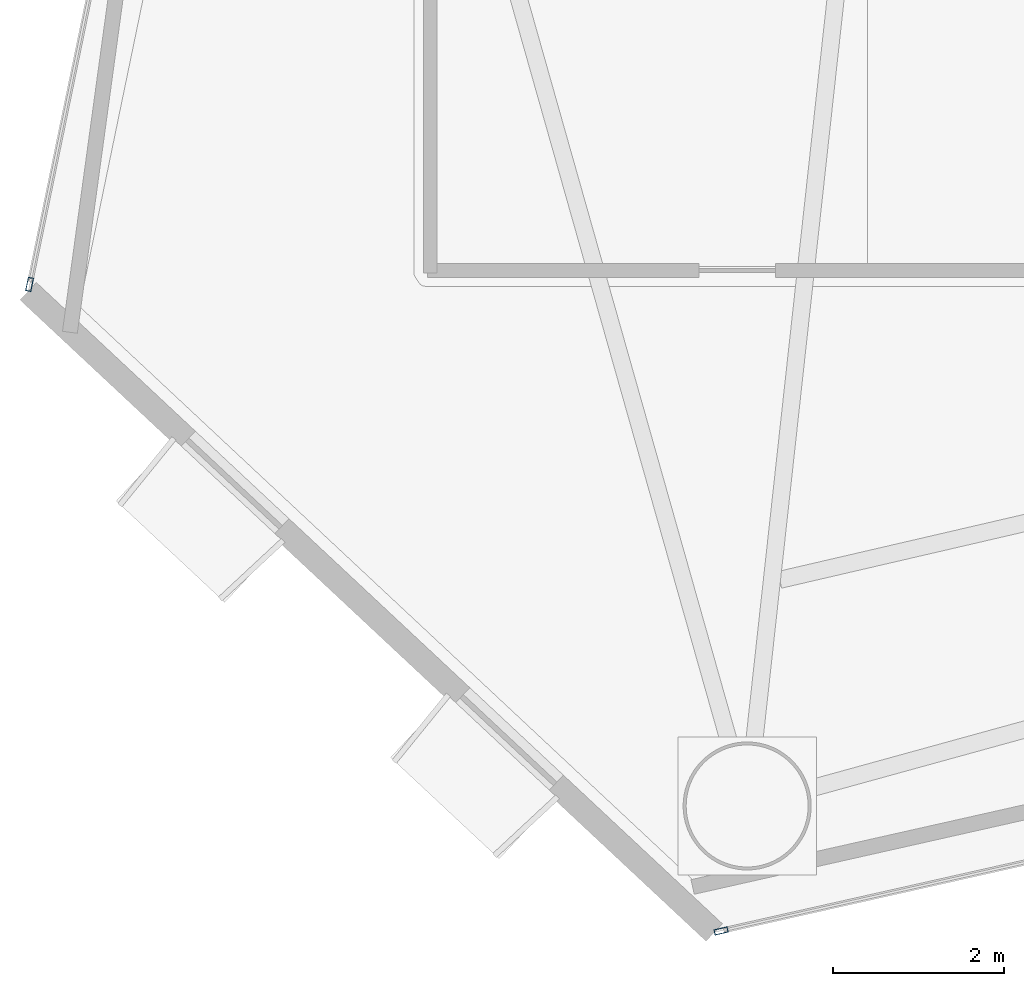
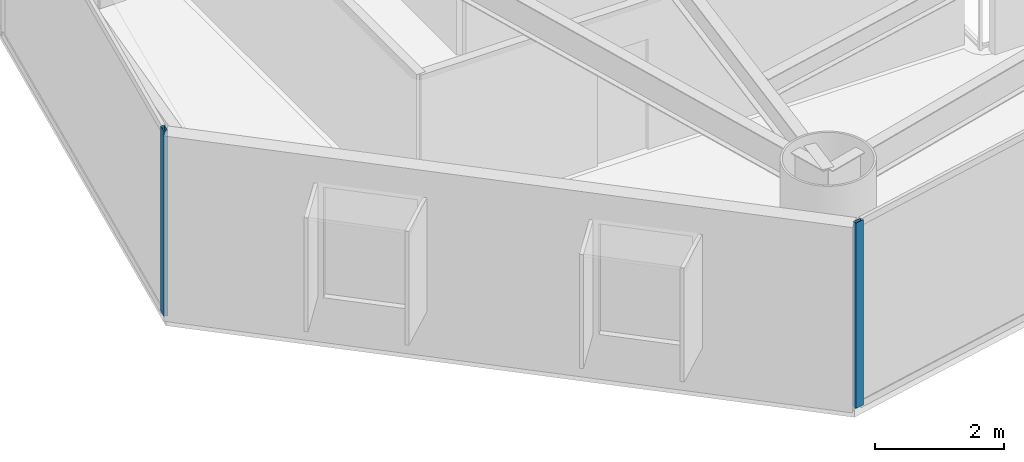
# One storey, part 2 of 18: 2 members, 2 elements without a shape of their own.
"""IFC4 building model written with IfcOpenShell, lengths in metres."""

from ifc_helpers import new_model, si_unit, direction, frame, origin, origin_2d, place, context, subcontext, project, spatial, hollow_rectangle, extrude, material, layer, layer_set, material_profile, profile_set, type_object, element, aggregate, save


model = new_model("IFC4")

# Units and contexts
model_context = context("Model", 3, precision=1e-05, world=origin(), true_north=direction((0.0, 1.0)))
body_context = subcontext(model_context, "Body", "Model", "MODEL_VIEW")
ifc_project = project(units=[si_unit("LENGTHUNIT", "METRE"), si_unit("AREAUNIT", "SQUARE_METRE"), si_unit("VOLUMEUNIT", "CUBIC_METRE"), si_unit("PLANEANGLEUNIT", "RADIAN"), si_unit("MASSUNIT", "GRAM", prefix="KILO")], contexts=[model_context])

# Site, building, storey
site_placement = place(None, origin())
site = spatial("IfcSite", under=ifc_project, at=site_placement, CompositionType="ELEMENT")
building_placement = place(site_placement, origin())
building = spatial("IfcBuilding", under=site, at=building_placement, Name="Qianvela Tower", CompositionType="ELEMENT")
storey_placement = place(building_placement, frame((0.0, 0.0, 97.800048828125)))
storey = spatial("IfcBuildingStorey", under=building, at=storey_placement, Name="L24", CompositionType="ELEMENT", Elevation=97.800048828125)

# Curtain wall, member
ifc_material_1 = material(Name="Anodised Architectural Aluminium and Low-E Glass", Category="aluminium")
ifc_layer = layer(ifc_material_1, 0.169921875)
ifc_layer_set = layer_set([ifc_layer], Name="Anodised Architectural Aluminium and Low-E Glass")
curtain_wall_type = type_object("IfcCurtainWallType", Name="CW-COLIV-Z34", PredefinedType="USERDEFINED", material=ifc_layer_set)
curtain_wall_1_placement = place(storey_placement, origin())
curtain_wall_1 = element("IfcCurtainWall", 1, at=curtain_wall_1_placement, inside=storey, type_object=curtain_wall_type, Name="L24 CW-COLIV-Z34 Curtain Wall 04C", ObjectType="CURTAIN_WALL_SYSTEM", PredefinedType="USERDEFINED")
ifc_material_2 = material(Name="Anodised Architectural Aluminium 6063-T6", Category="aluminium")
ifc_material_profile = material_profile(ifc_material_2, hollow_rectangle(XDim=0.06494140625, YDim=0.159912109375, WallThickness=0.0048828125, at=origin_2d()), Name="ALU-MULL-65x160")
ifc_profile_set = profile_set([ifc_material_profile], Name="Anodised Architectural Aluminium 6063-T6")
member_type = type_object("IfcMemberType", Name="CW-COLIV-Z34-MULL", PredefinedType="MULLION", material=ifc_profile_set)
member_1_placement = place(storey_placement, frame((18.88720703125, 18.01806640625, 0.0), z_axis=(0.0, 0.0, 1.0), x_axis=(0.979293281137, -0.202446707851, 0.0)))
member_1 = element("IfcMember", 2, at=member_1_placement, type_object=member_type, Name="CW-4 mullion 2", PredefinedType="MULLION", context=body_context, shape_type="SweptSolid", body=[
    extrude(hollow_rectangle(XDim=0.06494140625, YDim=0.159912109375, WallThickness=0.0048828125, at=origin_2d()), origin(), (0.0, 0.0, 1.0), 3.52001953125),
])
aggregate(curtain_wall_1, [member_1])

curtain_wall_2_placement = place(storey_placement, origin())
curtain_wall_2 = element("IfcCurtainWall", 3, at=curtain_wall_2_placement, inside=storey, type_object=curtain_wall_type, Name="L24 CW-COLIV-Z34 Curtain Wall 06A", ObjectType="CURTAIN_WALL_SYSTEM", PredefinedType="USERDEFINED")
member_2_placement = place(storey_placement, frame((26.986328125, 10.445068359375, 0.0), z_axis=(0.0, 0.0, 1.0), x_axis=(-0.219387090436, 0.975637896225, 0.0)))
member_2 = element("IfcMember", 4, at=member_2_placement, type_object=member_type, Name="CW-4 mullion 1", PredefinedType="MULLION", context=body_context, shape_type="SweptSolid", body=[
    extrude(hollow_rectangle(XDim=0.06494140625, YDim=0.159912109375, WallThickness=0.0048828125, at=origin_2d()), origin(), (0.0, 0.0, 1.0), 3.52001953125),
])
aggregate(curtain_wall_2, [member_2])

save(model, "model.ifc")
